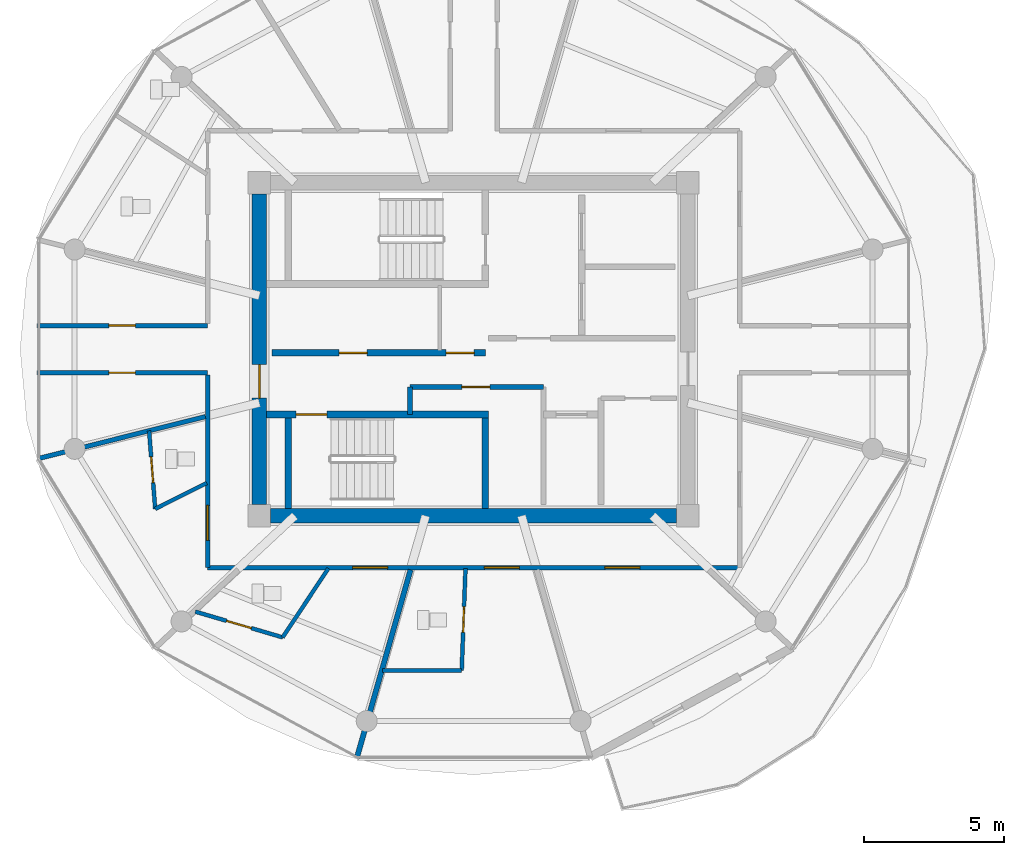
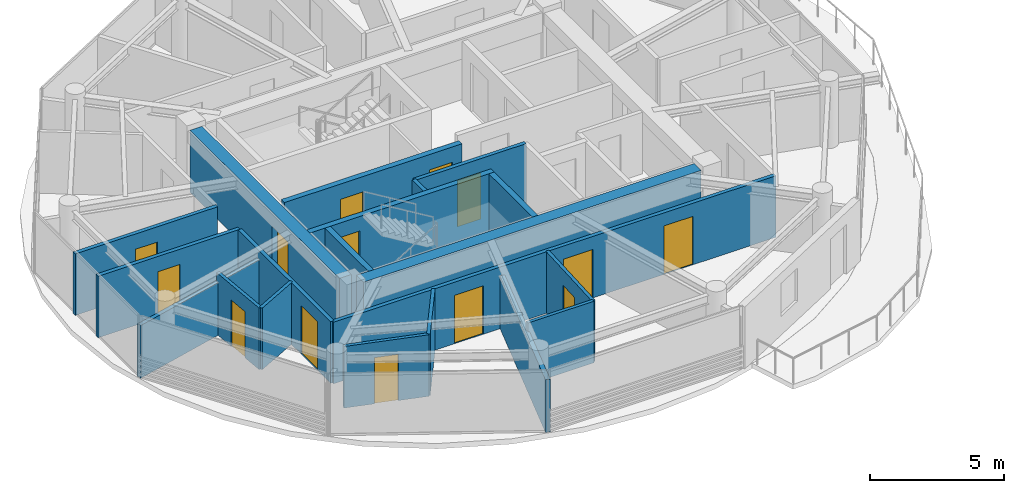
# One storey, part 9 of 19: 20 walls, 14 doors, 14 openings.
"""IFC4 building model written with IfcOpenShell, lengths in metres."""

from ifc_helpers import new_model, si_unit, direction, frame, frame_2d, origin, place, context, subcontext, project, spatial, rectangle, extrude, source, transform, mapped, material, layer, layer_set, type_object, type_shapes, element, fill, save


model = new_model("IFC4")

# Units and contexts
model_context = context("Model", 3, precision=1e-05, world=origin(), true_north=direction((0.0, 1.0)))
body_context = subcontext(model_context, "Body", "Model", "MODEL_VIEW")
ifc_project = project(units=[si_unit("LENGTHUNIT", "METRE"), si_unit("AREAUNIT", "SQUARE_METRE"), si_unit("VOLUMEUNIT", "CUBIC_METRE"), si_unit("PLANEANGLEUNIT", "RADIAN"), si_unit("MASSUNIT", "GRAM", prefix="KILO")], contexts=[model_context])

# Site, building, storey
site_placement = place(None, origin())
site = spatial("IfcSite", under=ifc_project, at=site_placement, CompositionType="ELEMENT")
building_placement = place(site_placement, origin())
building = spatial("IfcBuilding", under=site, at=building_placement, Name="Norrkilde Senior Care Towers", CompositionType="ELEMENT")
storey_placement = place(building_placement, frame((0.0, 0.0, 193.699951171875)))
storey = spatial("IfcBuildingStorey", under=building, at=storey_placement, Name="L60", CompositionType="ELEMENT", Elevation=193.699951171875)

# Wall
ifc_material_1 = material(Name="Concrete C50/60", Category="concrete")
ifc_layer_1 = layer(ifc_material_1, 0.52001953125)
ifc_layer_set_1 = layer_set([ifc_layer_1], Name="Concrete C50/60")
wall_type_1 = type_object("IfcWallType", Name="Core Shear Wall Z4 520", PredefinedType="SHEAR", material=ifc_layer_set_1)
shared_shape_1 = source(origin(), body_context, "Body", "SweptSolid", [
    extrude(rectangle(XDim=14.5, YDim=0.52001953125, at=frame_2d((7.25, 0.0))), origin(), (0.0, 0.0, 1.0), 2.81005859375),
])
wall_1_placement = place(storey_placement, frame((-20.75, -5.949951171875, 0.0), z_axis=(0.0, 0.0, 1.0), x_axis=(-1.0, 0.0, 0.0)))
element("IfcWall", 1, at=wall_1_placement, inside=storey, type_object=wall_type_1, Name="L60 Core W South Shear Wall", PredefinedType="SHEAR", context=body_context, shape_type="MappedRepresentation", body=[
    mapped(shared_shape_1, transform((0.0, 0.0, 0.0), x_axis=(1.0, 0.0, 0.0), y_axis=(0.0, 1.0, 0.0), z_axis=(0.0, 0.0, 1.0), scale=1.0)),
])

# Wall, opening, door
shared_shape_2 = source(origin(), body_context, "Body", "SweptSolid", [
    extrude(rectangle(XDim=11.10009765625, YDim=0.52001953125, at=frame_2d((5.550048828125, 0.0))), origin(), (0.0, 0.0, 1.0), 2.81005859375),
])
type_shapes(wall_type_1, [shared_shape_1, shared_shape_2])
wall_2_placement = place(storey_placement, frame((-35.64990234375, -5.550048828125, 0.0), z_axis=(0.0, 0.0, 1.0), x_axis=(0.0, 1.0, 0.0)))
wall_2 = element("IfcWall", 2, at=wall_2_placement, inside=storey, type_object=wall_type_1, Name="L60 Core W West Shear Wall", PredefinedType="SHEAR", context=body_context, shape_type="MappedRepresentation", body=[
    mapped(shared_shape_2, transform((0.0, 0.0, 0.0), x_axis=(1.0, 0.0, 0.0), y_axis=(0.0, 1.0, 0.0), z_axis=(0.0, 0.0, 1.0), scale=1.0)),
])
opening_1_placement = place(wall_2_placement, frame((3.800048828125, 0.0, 0.0)))
opening_1 = element("IfcOpeningElement", 3, at=opening_1_placement, cuts=wall_2, Name="Opening D-04", PredefinedType="OPENING", context=body_context, shape_type="SweptSolid", body=[
    extrude(rectangle(XDim=1.199951171875, YDim=2.14990234375, at=frame_2d((0.60009765625, 1.074951171875))), frame((0.0, 0.27001953125, 0.0), z_axis=(0.0, -1.0, 0.0), x_axis=(1.0, 0.0, 0.0)), (0.0, 0.0, 1.0), 0.5400390625),
])
ifc_material_2 = material(Name="Galvanised Painted Steel", Category="steel")
door_type_1 = type_object("IfcDoorType", Name="Firefighting Lobby Fire Door 1200x2150", OperationType="NOTDEFINED", PredefinedType="DOOR", material=ifc_material_2)
shared_shape_3 = source(origin(), body_context, "Body", "SweptSolid", [
    extrude(rectangle(XDim=1.199951171875, YDim=2.14990234375, at=frame_2d((0.60009765625, 1.074951171875))), frame((0.0, 0.02490234375, 0.0), z_axis=(0.0, -1.0, 0.0), x_axis=(1.0, 0.0, 0.0)), (0.0, 0.0, 1.0), 0.050048828125),
])
type_shapes(door_type_1, [shared_shape_3])
door_1_placement = place(opening_1_placement, frame((1.199951171875, 0.0, 0.0), z_axis=(0.0, 0.0, 1.0), x_axis=(-1.0, 0.0, 0.0)))
door_1 = element("IfcDoor", 4, at=door_1_placement, inside=storey, type_object=door_type_1, Name="L60 Core W West Portal Door", OperationType="SINGLE_SWING_LEFT", OverallHeight=2.14990234375, OverallWidth=1.199951171875, PredefinedType="DOOR", context=body_context, shape_type="MappedRepresentation", body=[
    mapped(shared_shape_3, transform((0.0, 0.0, 0.0), x_axis=(1.0, 0.0, 0.0), y_axis=(0.0, 1.0, 0.0), z_axis=(0.0, 0.0, 1.0), scale=1.0)),
])
fill(opening_1, door_1)

# Wall, openings, doors
ifc_material_3 = material(Name="Concrete C45/55", Category="concrete")
ifc_layer_2 = layer(ifc_material_3, 0.239990234375)
ifc_layer_set_2 = layer_set([ifc_layer_2], Name="Concrete C45/55")
wall_type_2 = type_object("IfcWallType", Name="Lift and Plant Rated Enclosure Partition 240", PredefinedType="PARTITIONING", material=ifc_layer_set_2)
shared_shape_4 = source(origin(), body_context, "Body", "SweptSolid", [
    extrude(rectangle(XDim=7.619873046875, YDim=0.239990234375, at=frame_2d((3.81005859375, 0.0))), origin(), (0.0, 0.0, 1.0), 2.795166015625),
])
type_shapes(wall_type_2, [shared_shape_4])
wall_3_placement = place(storey_placement, frame((-35.199951171875, -0.1298828125, 0.0), z_axis=(0.0, 0.0, 1.0), x_axis=(1.0, 0.0, 0.0)))
wall_3 = element("IfcWall", 5, at=wall_3_placement, inside=storey, type_object=wall_type_2, Name="WL-INT-L60-W-PKAS", PredefinedType="PARTITIONING", context=body_context, shape_type="MappedRepresentation", body=[
    mapped(shared_shape_4, transform((0.0, 0.0, 0.0), x_axis=(1.0, 0.0, 0.0), y_axis=(0.0, 1.0, 0.0), z_axis=(0.0, 0.0, 1.0), scale=1.0)),
])
opening_2_placement = place(wall_3_placement, frame((6.219970703125, 0.0, 0.0)))
opening_2 = element("IfcOpeningElement", 6, at=opening_2_placement, cuts=wall_3, Name="Opening D-10", PredefinedType="OPENING", context=body_context, shape_type="SweptSolid", body=[
    extrude(rectangle(XDim=1.0, YDim=2.10009765625, at=frame_2d((0.5, 1.050048828125))), frame((0.0, 0.1298828125, 0.0), z_axis=(0.0, -1.0, 0.0), x_axis=(1.0, 0.0, 0.0)), (0.0, 0.0, 1.0), 0.260009765625),
])
opening_3_placement = place(wall_3_placement, frame((2.39990234375, 0.0, 0.0)))
opening_3 = element("IfcOpeningElement", 7, at=opening_3_placement, cuts=wall_3, Name="Opening D-10", PredefinedType="OPENING", context=body_context, shape_type="SweptSolid", body=[
    extrude(rectangle(XDim=1.0, YDim=2.10009765625, at=frame_2d((0.5, 1.050048828125))), frame((0.0, 0.1298828125, 0.0), z_axis=(0.0, -1.0, 0.0), x_axis=(1.0, 0.0, 0.0)), (0.0, 0.0, 1.0), 0.260009765625),
])
door_type_2 = type_object("IfcDoorType", Name="Plant and Riser Rated Door 1000x2100", OperationType="NOTDEFINED", PredefinedType="DOOR", material=ifc_material_2)
shared_shape_5 = source(origin(), body_context, "Body", "SweptSolid", [
    extrude(rectangle(XDim=1.0, YDim=2.10009765625, at=frame_2d((0.5, 1.050048828125))), frame((0.0, 0.02490234375, 0.0), z_axis=(0.0, -1.0, 0.0), x_axis=(1.0, 0.0, 0.0)), (0.0, 0.0, 1.0), 0.050048828125),
])
type_shapes(door_type_2, [shared_shape_5])
door_2_placement = place(opening_2_placement, frame((1.0, 0.0, 0.0), z_axis=(0.0, 0.0, 1.0), x_axis=(-1.0, 0.0, 0.0)))
door_2 = element("IfcDoor", 8, at=door_2_placement, inside=storey, type_object=door_type_2, Name="L60 Electrical Riser W Door", OperationType="SINGLE_SWING_LEFT", OverallHeight=2.10009765625, OverallWidth=1.0, PredefinedType="DOOR", context=body_context, shape_type="MappedRepresentation", body=[
    mapped(shared_shape_5, transform((0.0, 0.0, 0.0), x_axis=(1.0, 0.0, 0.0), y_axis=(0.0, 1.0, 0.0), z_axis=(0.0, 0.0, 1.0), scale=1.0)),
])
fill(opening_2, door_2)
door_3_placement = place(opening_3_placement, frame((1.0, 0.0, 0.0), z_axis=(0.0, 0.0, 1.0), x_axis=(-1.0, 0.0, 0.0)))
door_3 = element("IfcDoor", 9, at=door_3_placement, inside=storey, type_object=door_type_2, Name="L60 Clean Supply Store W Door", OperationType="SINGLE_SWING_LEFT", OverallHeight=2.10009765625, OverallWidth=1.0, PredefinedType="DOOR", context=body_context, shape_type="MappedRepresentation", body=[
    mapped(shared_shape_5, transform((0.0, 0.0, 0.0), x_axis=(1.0, 0.0, 0.0), y_axis=(0.0, 1.0, 0.0), z_axis=(0.0, 0.0, 1.0), scale=1.0)),
])
fill(opening_3, door_3)

ifc_material_4 = material(Name="Gypsum Acoustic Board")
ifc_layer_3 = layer(ifc_material_4, 0.1650390625)
ifc_layer_set_3 = layer_set([ifc_layer_3], Name="Gypsum Acoustic Board")
wall_type_3 = type_object("IfcWallType", Name="Corridor Rated Partition 165", PredefinedType="PARTITIONING", material=ifc_layer_set_3)
shared_shape_6 = source(origin(), body_context, "Body", "SweptSolid", [
    extrude(rectangle(XDim=19.0, YDim=0.1650390625, at=frame_2d((9.5, 0.0))), origin(), (0.0, 0.0, 1.0), 2.795166015625),
])
wall_4_placement = place(storey_placement, frame((-18.5, -7.800048828125, 0.0), z_axis=(0.0, 0.0, 1.0), x_axis=(-1.0, 0.0, 0.0)))
wall_4 = element("IfcWall", 10, at=wall_4_placement, inside=storey, type_object=wall_type_3, Name="WL-INT-L60-W-CRW-S-0", PredefinedType="PARTITIONING", context=body_context, shape_type="MappedRepresentation", body=[
    mapped(shared_shape_6, transform((0.0, 0.0, 0.0), x_axis=(1.0, 0.0, 0.0), y_axis=(0.0, 1.0, 0.0), z_axis=(0.0, 0.0, 1.0), scale=1.0)),
])
opening_4_placement = place(wall_4_placement, frame((12.56884765625, 0.0, 0.0)))
opening_4 = element("IfcOpeningElement", 11, at=opening_4_placement, cuts=wall_4, Name="Opening D-05", PredefinedType="OPENING", context=body_context, shape_type="SweptSolid", body=[
    extrude(rectangle(XDim=1.25, YDim=2.199951171875, at=frame_2d((0.625, 1.10009765625))), frame((0.0, 0.092529296875, 0.0), z_axis=(0.0, -1.0, 0.0), x_axis=(1.0, 0.0, 0.0)), (0.0, 0.0, 1.0), 0.18505859375),
])
opening_5_placement = place(wall_4_placement, frame((7.868408203125, 0.0, 0.0)))
opening_5 = element("IfcOpeningElement", 12, at=opening_5_placement, cuts=wall_4, Name="Opening D-05", PredefinedType="OPENING", context=body_context, shape_type="SweptSolid", body=[
    extrude(rectangle(XDim=1.25, YDim=2.199951171875, at=frame_2d((0.625, 1.10009765625))), frame((0.0, 0.092529296875, 0.0), z_axis=(0.0, -1.0, 0.0), x_axis=(1.0, 0.0, 0.0)), (0.0, 0.0, 1.0), 0.18505859375),
])
opening_6_placement = place(wall_4_placement, frame((3.55859375, 0.0, 0.0)))
opening_6 = element("IfcOpeningElement", 13, at=opening_6_placement, cuts=wall_4, Name="Opening D-05", PredefinedType="OPENING", context=body_context, shape_type="SweptSolid", body=[
    extrude(rectangle(XDim=1.25, YDim=2.199951171875, at=frame_2d((0.625, 1.10009765625))), frame((0.0, 0.092529296875, 0.0), z_axis=(0.0, -1.0, 0.0), x_axis=(1.0, 0.0, 0.0)), (0.0, 0.0, 1.0), 0.18505859375),
])
ifc_material_5 = material(Name="Nordic Ash Timber", Category="wood")
door_type_3 = type_object("IfcDoorType", Name="Care Bedroom Bariatric Door 1250x2200", OperationType="NOTDEFINED", PredefinedType="DOOR", material=ifc_material_5)
shared_shape_7 = source(origin(), body_context, "Body", "SweptSolid", [
    extrude(rectangle(XDim=1.25, YDim=2.199951171875, at=frame_2d((0.625, 1.10009765625))), frame((0.0, 0.02490234375, 0.0), z_axis=(0.0, -1.0, 0.0), x_axis=(1.0, 0.0, 0.0)), (0.0, 0.0, 1.0), 0.050048828125),
])
type_shapes(door_type_3, [shared_shape_7])
door_4_placement = place(opening_4_placement, frame((1.25, 0.0, 0.0), z_axis=(0.0, 0.0, 1.0), x_axis=(-1.0, 0.0, 0.0)))
door_4 = element("IfcDoor", 14, at=door_4_placement, inside=storey, type_object=door_type_3, Name="L60 Care Suite 6007 Entrance Door", OperationType="SINGLE_SWING_RIGHT", OverallHeight=2.199951171875, OverallWidth=1.25, PredefinedType="DOOR", context=body_context, shape_type="MappedRepresentation", body=[
    mapped(shared_shape_7, transform((0.0, 0.0, 0.0), x_axis=(1.0, 0.0, 0.0), y_axis=(0.0, 1.0, 0.0), z_axis=(0.0, 0.0, 1.0), scale=1.0)),
])
fill(opening_4, door_4)
door_5_placement = place(opening_5_placement, frame((1.25, 0.0, 0.0), z_axis=(0.0, 0.0, 1.0), x_axis=(-1.0, 0.0, 0.0)))
door_5 = element("IfcDoor", 15, at=door_5_placement, inside=storey, type_object=door_type_3, Name="L60 Care Suite 6008 Entrance Door", OperationType="SINGLE_SWING_LEFT", OverallHeight=2.199951171875, OverallWidth=1.25, PredefinedType="DOOR", context=body_context, shape_type="MappedRepresentation", body=[
    mapped(shared_shape_7, transform((0.0, 0.0, 0.0), x_axis=(1.0, 0.0, 0.0), y_axis=(0.0, 1.0, 0.0), z_axis=(0.0, 0.0, 1.0), scale=1.0)),
])
fill(opening_5, door_5)
door_6_placement = place(opening_6_placement, frame((1.25, 0.0, 0.0), z_axis=(0.0, 0.0, 1.0), x_axis=(-1.0, 0.0, 0.0)))
door_6 = element("IfcDoor", 16, at=door_6_placement, inside=storey, type_object=door_type_3, Name="L60 Household Therapeutic Kitchen Door", OperationType="SINGLE_SWING_RIGHT", OverallHeight=2.199951171875, OverallWidth=1.25, PredefinedType="DOOR", context=body_context, shape_type="MappedRepresentation", body=[
    mapped(shared_shape_7, transform((0.0, 0.0, 0.0), x_axis=(1.0, 0.0, 0.0), y_axis=(0.0, 1.0, 0.0), z_axis=(0.0, 0.0, 1.0), scale=1.0)),
])
fill(opening_6, door_6)

# Wall, opening, door
shared_shape_8 = source(origin(), body_context, "Body", "SweptSolid", [
    extrude(rectangle(XDim=6.880126953125, YDim=0.1650390625, at=frame_2d((3.43994140625, 0.0))), origin(), (0.0, 0.0, 1.0), 2.795166015625),
])
wall_5_placement = place(storey_placement, frame((-37.5, -7.800048828125, 0.0), z_axis=(0.0, 0.0, 1.0), x_axis=(0.0, 1.0, 0.0)))
wall_5 = element("IfcWall", 17, at=wall_5_placement, inside=storey, type_object=wall_type_3, Name="WL-INT-L60-W-CRW-W-0", PredefinedType="PARTITIONING", context=body_context, shape_type="MappedRepresentation", body=[
    mapped(shared_shape_8, transform((0.0, 0.0, 0.0), x_axis=(1.0, 0.0, 0.0), y_axis=(0.0, 1.0, 0.0), z_axis=(0.0, 0.0, 1.0), scale=1.0)),
])
opening_7_placement = place(wall_5_placement, frame((0.96826171875, 0.0, 0.0)))
opening_7 = element("IfcOpeningElement", 18, at=opening_7_placement, cuts=wall_5, Name="Opening D-05", PredefinedType="OPENING", context=body_context, shape_type="SweptSolid", body=[
    extrude(rectangle(XDim=1.25, YDim=2.199951171875, at=frame_2d((0.625, 1.10009765625))), frame((0.0, 0.092529296875, 0.0), z_axis=(0.0, -1.0, 0.0), x_axis=(1.0, 0.0, 0.0)), (0.0, 0.0, 1.0), 0.18505859375),
])
door_7_placement = place(opening_7_placement, frame((1.25, 0.0, 0.0), z_axis=(0.0, 0.0, 1.0), x_axis=(-1.0, 0.0, 0.0)))
door_7 = element("IfcDoor", 19, at=door_7_placement, inside=storey, type_object=door_type_3, Name="L60 Care Suite 6006 Entrance Door", OperationType="SINGLE_SWING_LEFT", OverallHeight=2.199951171875, OverallWidth=1.25, PredefinedType="DOOR", context=body_context, shape_type="MappedRepresentation", body=[
    mapped(shared_shape_7, transform((0.0, 0.0, 0.0), x_axis=(1.0, 0.0, 0.0), y_axis=(0.0, 1.0, 0.0), z_axis=(0.0, 0.0, 1.0), scale=1.0)),
])
fill(opening_7, door_7)

shared_shape_9 = source(origin(), body_context, "Body", "SweptSolid", [
    extrude(rectangle(XDim=4.77001953125, YDim=0.1650390625, at=frame_2d((2.385009765625, 0.0))), origin(), (0.0, 0.0, 1.0), 2.795166015625),
])
wall_6_placement = place(storey_placement, frame((-30.27001953125, -1.35009765625, 0.0), z_axis=(0.0, 0.0, 1.0), x_axis=(1.0, 0.0, 0.0)))
wall_6 = element("IfcWall", 20, at=wall_6_placement, inside=storey, type_object=wall_type_3, Name="WL-INT-L60-W-FR2N", PredefinedType="PARTITIONING", context=body_context, shape_type="MappedRepresentation", body=[
    mapped(shared_shape_9, transform((0.0, 0.0, 0.0), x_axis=(1.0, 0.0, 0.0), y_axis=(0.0, 1.0, 0.0), z_axis=(0.0, 0.0, 1.0), scale=1.0)),
])
opening_8_placement = place(wall_6_placement, frame((1.85009765625, 0.0, 0.0)))
opening_8 = element("IfcOpeningElement", 21, at=opening_8_placement, cuts=wall_6, Name="Opening D-10", PredefinedType="OPENING", context=body_context, shape_type="SweptSolid", body=[
    extrude(rectangle(XDim=1.0, YDim=2.10009765625, at=frame_2d((0.5, 1.050048828125))), frame((0.0, 0.092529296875, 0.0), z_axis=(0.0, -1.0, 0.0), x_axis=(1.0, 0.0, 0.0)), (0.0, 0.0, 1.0), 0.18505859375),
])
door_8_placement = place(opening_8_placement, origin())
door_8 = element("IfcDoor", 22, at=door_8_placement, inside=storey, type_object=door_type_2, Name="L60 Core Pantry W Door", OperationType="SINGLE_SWING_RIGHT", OverallHeight=2.10009765625, OverallWidth=1.0, PredefinedType="DOOR", context=body_context, shape_type="MappedRepresentation", body=[
    mapped(shared_shape_5, transform((0.0, 0.0, 0.0), x_axis=(1.0, 0.0, 0.0), y_axis=(0.0, 1.0, 0.0), z_axis=(0.0, 0.0, 1.0), scale=1.0)),
])
fill(opening_8, door_8)

# Wall
shared_shape_10 = source(origin(), body_context, "Body", "SweptSolid", [
    extrude(rectangle(XDim=0.97998046875, YDim=0.1650390625, at=frame_2d((0.489990234375, 0.0))), origin(), (0.0, 0.0, 1.0), 2.795166015625),
])
wall_7_placement = place(storey_placement, frame((-30.27001953125, -2.330078125, 0.0), z_axis=(0.0, 0.0, 1.0), x_axis=(0.0, 1.0, 0.0)))
element("IfcWall", 23, at=wall_7_placement, inside=storey, type_object=wall_type_3, Name="WL-INT-L60-W-FR2W", PredefinedType="PARTITIONING", context=body_context, shape_type="MappedRepresentation", body=[
    mapped(shared_shape_10, transform((0.0, 0.0, 0.0), x_axis=(1.0, 0.0, 0.0), y_axis=(0.0, 1.0, 0.0), z_axis=(0.0, 0.0, 1.0), scale=1.0)),
])

# Wall, opening, door
ifc_layer_4 = layer(ifc_material_3, 0.239990234375)
ifc_layer_set_4 = layer_set([ifc_layer_4], Name="Concrete C45/55")
wall_type_4 = type_object("IfcWallType", Name="Shaft and Stair Enclosure Wall 240", PredefinedType="PARTITIONING", material=ifc_layer_set_4)
shared_shape_11 = source(origin(), body_context, "Body", "SweptSolid", [
    extrude(rectangle(XDim=7.929931640625, YDim=0.239990234375, at=frame_2d((3.96484375, 0.0))), origin(), (0.0, 0.0, 1.0), 2.81005859375),
])
wall_8_placement = place(storey_placement, frame((-35.389892578125, -2.330078125, 0.0), z_axis=(0.0, 0.0, 1.0), x_axis=(1.0, 0.0, 0.0)))
wall_8 = element("IfcWall", 24, at=wall_8_placement, inside=storey, type_object=wall_type_4, Name="WL-INT-L60-W-ST2N", PredefinedType="PARTITIONING", context=body_context, shape_type="MappedRepresentation", body=[
    mapped(shared_shape_11, transform((0.0, 0.0, 0.0), x_axis=(1.0, 0.0, 0.0), y_axis=(0.0, 1.0, 0.0), z_axis=(0.0, 0.0, 1.0), scale=1.0)),
])
opening_9_placement = place(wall_8_placement, frame((1.050048828125, 0.0, 0.0)))
opening_9 = element("IfcOpeningElement", 25, at=opening_9_placement, cuts=wall_8, Name="Opening D-03", PredefinedType="OPENING", context=body_context, shape_type="SweptSolid", body=[
    extrude(rectangle(XDim=1.10009765625, YDim=2.14990234375, at=frame_2d((0.550048828125, 1.074951171875))), frame((0.0, 0.1298828125, 0.0), z_axis=(0.0, -1.0, 0.0), x_axis=(1.0, 0.0, 0.0)), (0.0, 0.0, 1.0), 0.260009765625),
])
door_type_4 = type_object("IfcDoorType", Name="Stairwell Protected Fire Door 1100x2150", OperationType="NOTDEFINED", PredefinedType="DOOR", material=ifc_material_2)
shared_shape_12 = source(origin(), body_context, "Body", "SweptSolid", [
    extrude(rectangle(XDim=1.10009765625, YDim=2.14990234375, at=frame_2d((0.550048828125, 1.074951171875))), frame((0.0, 0.02490234375, 0.0), z_axis=(0.0, -1.0, 0.0), x_axis=(1.0, 0.0, 0.0)), (0.0, 0.0, 1.0), 0.050048828125),
])
type_shapes(door_type_4, [shared_shape_12])
door_9_placement = place(opening_9_placement, frame((1.10009765625, 0.0, 0.0), z_axis=(0.0, 0.0, 1.0), x_axis=(-1.0, 0.0, 0.0)))
door_9 = element("IfcDoor", 26, at=door_9_placement, inside=storey, type_object=door_type_4, Name="L60 Stair W2 Fire Door", OperationType="SINGLE_SWING_RIGHT", OverallHeight=2.14990234375, OverallWidth=1.10009765625, PredefinedType="DOOR", context=body_context, shape_type="MappedRepresentation", body=[
    mapped(shared_shape_12, transform((0.0, 0.0, 0.0), x_axis=(1.0, 0.0, 0.0), y_axis=(0.0, 1.0, 0.0), z_axis=(0.0, 0.0, 1.0), scale=1.0)),
])
fill(opening_9, door_9)

# Walls
shared_shape_13 = source(origin(), body_context, "Body", "SweptSolid", [
    extrude(rectangle(XDim=3.239990234375, YDim=0.239990234375, at=frame_2d((1.6201171875, 0.0))), origin(), (0.0, 0.0, 1.0), 2.81005859375),
])
type_shapes(wall_type_4, [shared_shape_11, shared_shape_13])
for number, where, z_axis, x_axis, name in (
    (27, (-34.6201171875, -5.68994140625, 0.0), (0.0, 0.0, 1.0), (0.0, 1.0, 0.0), "WL-INT-L60-W-ST2W"),
    (28, (-27.580078125, -5.68994140625, 0.0), (0.0, 0.0, 1.0), (0.0, 1.0, 0.0), "WL-INT-L60-W-ST2E"),
):
    element("IfcWall", number, at=place(storey_placement, frame(where, z_axis=z_axis, x_axis=x_axis)), inside=storey, type_object=wall_type_4, Name=name, PredefinedType="PARTITIONING", context=body_context, shape_type="MappedRepresentation", body=[
        mapped(shared_shape_13, transform((0.0, 0.0, 0.0), x_axis=(1.0, 0.0, 0.0), y_axis=(0.0, 1.0, 0.0), z_axis=(0.0, 0.0, 1.0), scale=1.0)),
    ])
shared_shape_14 = source(origin(), body_context, "Body", "SweptSolid", [
    extrude(rectangle(XDim=6.1572265625, YDim=0.1650390625, at=frame_2d((3.07861328125, 0.0))), origin(), (0.0, 0.0, 1.0), 2.39501953125),
])
wall_9_placement = place(storey_placement, frame((-37.580078125, -2.407470703125, 0.0), z_axis=(0.0, 0.0, 1.0), x_axis=(-0.969840867184, -0.243738984038, 0.0)))
element("IfcWall", 29, at=wall_9_placement, inside=storey, type_object=wall_type_3, Name="WL-INT-L60-W-DEM-06-0", PredefinedType="PARTITIONING", context=body_context, shape_type="MappedRepresentation", body=[
    mapped(shared_shape_14, transform((0.0, 0.0, 0.0), x_axis=(1.0, 0.0, 0.0), y_axis=(0.0, 1.0, 0.0), z_axis=(0.0, 0.0, 1.0), scale=1.0)),
])

# Wall, opening, door
shared_shape_15 = source(origin(), body_context, "Body", "SweptSolid", [
    extrude(rectangle(XDim=6.101318359375, YDim=0.1650390625, at=frame_2d((3.05078125, 0.0))), origin(), (0.0, 0.0, 1.0), 2.795166015625),
])
type_shapes(wall_type_3, [shared_shape_6, shared_shape_8, shared_shape_9, shared_shape_10, shared_shape_14, shared_shape_15])
wall_10_placement = place(storey_placement, frame((-43.601318359375, 0.840087890625, 0.0), z_axis=(0.0, 0.0, 1.0), x_axis=(1.0, 0.0, 0.0)))
wall_10 = element("IfcWall", 30, at=wall_10_placement, inside=storey, type_object=wall_type_3, Name="WL-INT-L60-W-SPK-W1-0", PredefinedType="PARTITIONING", context=body_context, shape_type="MappedRepresentation", body=[
    mapped(shared_shape_15, transform((0.0, 0.0, 0.0), x_axis=(1.0, 0.0, 0.0), y_axis=(0.0, 1.0, 0.0), z_axis=(0.0, 0.0, 1.0), scale=1.0)),
])
opening_10_placement = place(wall_10_placement, frame((2.57568359375, 0.0, 0.0)))
opening_10 = element("IfcOpeningElement", 31, at=opening_10_placement, cuts=wall_10, Name="Opening D-07", PredefinedType="OPENING", context=body_context, shape_type="SweptSolid", body=[
    extrude(rectangle(XDim=0.949951171875, YDim=2.10009765625, at=frame_2d((0.47509765625, 1.050048828125))), frame((0.0, 0.092529296875, 0.0), z_axis=(0.0, -1.0, 0.0), x_axis=(1.0, 0.0, 0.0)), (0.0, 0.0, 1.0), 0.18505859375),
])
door_type_5 = type_object("IfcDoorType", Name="Internal Suite Bedroom Door 950x2100", OperationType="NOTDEFINED", PredefinedType="DOOR", material=ifc_material_5)
shared_shape_16 = source(origin(), body_context, "Body", "SweptSolid", [
    extrude(rectangle(XDim=0.949951171875, YDim=2.10009765625, at=frame_2d((0.47509765625, 1.050048828125))), frame((0.0, 0.02490234375, 0.0), z_axis=(0.0, -1.0, 0.0), x_axis=(1.0, 0.0, 0.0)), (0.0, 0.0, 1.0), 0.050048828125),
])
type_shapes(door_type_5, [shared_shape_16])
door_10_placement = place(opening_10_placement, frame((0.949951171875, 0.0, 0.0), z_axis=(0.0, 0.0, 1.0), x_axis=(-1.0, 0.0, 0.0)))
door_10 = element("IfcDoor", 32, at=door_10_placement, inside=storey, type_object=door_type_5, Name="L60 Sun Reading Lounge 2 Door", OperationType="SINGLE_SWING_LEFT", OverallHeight=2.10009765625, OverallWidth=0.949951171875, PredefinedType="DOOR", context=body_context, shape_type="MappedRepresentation", body=[
    mapped(shared_shape_16, transform((0.0, 0.0, 0.0), x_axis=(1.0, 0.0, 0.0), y_axis=(0.0, 1.0, 0.0), z_axis=(0.0, 0.0, 1.0), scale=1.0)),
])
fill(opening_10, door_10)

wall_11_placement = place(storey_placement, frame((-37.5, -0.840087890625, 0.0), z_axis=(0.0, 0.0, 1.0), x_axis=(-1.0, 0.0, 0.0)))
wall_11 = element("IfcWall", 33, at=wall_11_placement, inside=storey, type_object=wall_type_3, Name="WL-INT-L60-W-SPK-W2-0", PredefinedType="PARTITIONING", context=body_context, shape_type="MappedRepresentation", body=[
    mapped(shared_shape_15, transform((0.0, 0.0, 0.0), x_axis=(1.0, 0.0, 0.0), y_axis=(0.0, 1.0, 0.0), z_axis=(0.0, 0.0, 1.0), scale=1.0)),
])
opening_11_placement = place(wall_11_placement, frame((2.57568359375, 0.0, 0.0)))
opening_11 = element("IfcOpeningElement", 34, at=opening_11_placement, cuts=wall_11, Name="Opening D-07", PredefinedType="OPENING", context=body_context, shape_type="SweptSolid", body=[
    extrude(rectangle(XDim=0.949951171875, YDim=2.10009765625, at=frame_2d((0.47509765625, 1.050048828125))), frame((0.0, 0.092529296875, 0.0), z_axis=(0.0, -1.0, 0.0), x_axis=(1.0, 0.0, 0.0)), (0.0, 0.0, 1.0), 0.18505859375),
])
door_11_placement = place(opening_11_placement, frame((0.949951171875, 0.0, 0.0), z_axis=(0.0, 0.0, 1.0), x_axis=(-1.0, 0.0, 0.0)))
door_11 = element("IfcDoor", 35, at=door_11_placement, inside=storey, type_object=door_type_5, Name="L60 Sun Reading Lounge 1 Door", OperationType="SINGLE_SWING_RIGHT", OverallHeight=2.10009765625, OverallWidth=0.949951171875, PredefinedType="DOOR", context=body_context, shape_type="MappedRepresentation", body=[
    mapped(shared_shape_16, transform((0.0, 0.0, 0.0), x_axis=(1.0, 0.0, 0.0), y_axis=(0.0, 1.0, 0.0), z_axis=(0.0, 0.0, 1.0), scale=1.0)),
])
fill(opening_11, door_11)

# Wall
ifc_layer_5 = layer(ifc_material_4, 0.139892578125)
ifc_layer_set_5 = layer_set([ifc_layer_5], Name="Gypsum Acoustic Board")
wall_type_5 = type_object("IfcWallType", Name="En-suite Wet Room Wall 140", PredefinedType="PARTITIONING", material=ifc_layer_set_5)
shared_shape_17 = source(origin(), body_context, "Body", "SweptSolid", [
    extrude(rectangle(XDim=2.059814453125, YDim=0.139892578125, at=frame_2d((1.02978515625, 0.0))), origin(), (0.0, 0.0, 1.0), 2.795166015625),
])
wall_12_placement = place(storey_placement, frame((-37.530029296875, -4.7783203125, 0.0), z_axis=(0.0, 0.0, 1.0), x_axis=(-0.893952568722, -0.448161583444, 0.0)))
element("IfcWall", 36, at=wall_12_placement, inside=storey, type_object=wall_type_5, Name="WL-INT-L60-W-ES-06", PredefinedType="PARTITIONING", context=body_context, shape_type="MappedRepresentation", body=[
    mapped(shared_shape_17, transform((0.0, 0.0, 0.0), x_axis=(1.0, 0.0, 0.0), y_axis=(0.0, 1.0, 0.0), z_axis=(0.0, 0.0, 1.0), scale=1.0)),
])

# Wall, opening, door
shared_shape_18 = source(origin(), body_context, "Body", "SweptSolid", [
    extrude(rectangle(XDim=2.79833984375, YDim=0.139892578125, at=frame_2d((1.399169921875, 0.0))), origin(), (0.0, 0.0, 1.0), 2.795166015625),
])
wall_13_placement = place(storey_placement, frame((-39.371337890625, -5.701416015625, 0.0), z_axis=(0.0, 0.0, 1.0), x_axis=(-0.077823984089, 0.996967114553, 0.0)))
wall_13 = element("IfcWall", 37, at=wall_13_placement, inside=storey, type_object=wall_type_5, Name="WL-INT-L60-W-EF-06", PredefinedType="PARTITIONING", context=body_context, shape_type="MappedRepresentation", body=[
    mapped(shared_shape_18, transform((0.0, 0.0, 0.0), x_axis=(1.0, 0.0, 0.0), y_axis=(0.0, 1.0, 0.0), z_axis=(0.0, 0.0, 1.0), scale=1.0)),
])
opening_12_placement = place(wall_13_placement, frame((0.939208984375, 0.0, 0.0)))
opening_12 = element("IfcOpeningElement", 38, at=opening_12_placement, cuts=wall_13, Name="Opening D-08", PredefinedType="OPENING", context=body_context, shape_type="SweptSolid", body=[
    extrude(rectangle(XDim=0.919921875, YDim=2.10009765625, at=frame_2d((0.4599609375, 1.050048828125))), frame((0.0, 0.079833984375, 0.0), z_axis=(0.0, -1.0, 0.0), x_axis=(1.0, 0.0, 0.0)), (0.0, 0.0, 1.0), 0.159912109375),
])
door_type_6 = type_object("IfcDoorType", Name="Accessible Wet Room Door 920x2100", OperationType="NOTDEFINED", PredefinedType="DOOR", material=ifc_material_5)
shared_shape_19 = source(origin(), body_context, "Body", "SweptSolid", [
    extrude(rectangle(XDim=0.919921875, YDim=2.10009765625, at=frame_2d((0.4599609375, 1.050048828125))), frame((0.0, 0.02490234375, 0.0), z_axis=(0.0, -1.0, 0.0), x_axis=(1.0, 0.0, 0.0)), (0.0, 0.0, 1.0), 0.050048828125),
])
type_shapes(door_type_6, [shared_shape_19])
door_12_placement = place(opening_12_placement, origin())
door_12 = element("IfcDoor", 39, at=door_12_placement, inside=storey, type_object=door_type_6, Name="L60 Care Suite 6006 Bathroom Door", OperationType="SINGLE_SWING_RIGHT", OverallHeight=2.10009765625, OverallWidth=0.919921875, PredefinedType="DOOR", context=body_context, shape_type="MappedRepresentation", body=[
    mapped(shared_shape_19, transform((0.0, 0.0, 0.0), x_axis=(1.0, 0.0, 0.0), y_axis=(0.0, 1.0, 0.0), z_axis=(0.0, 0.0, 1.0), scale=1.0)),
])
fill(opening_12, door_12)

# Walls
ifc_layer_6 = layer(ifc_material_4, 0.18994140625)
ifc_layer_set_6 = layer_set([ifc_layer_6], Name="Gypsum Acoustic Board")
wall_type_6 = type_object("IfcWallType", Name="Unit Demising Acoustic Wall 190", PredefinedType="PARTITIONING", material=ifc_layer_set_6)
shared_shape_20 = source(origin(), body_context, "Body", "SweptSolid", [
    extrude(rectangle(XDim=6.973876953125, YDim=0.18994140625, at=frame_2d((3.48681640625, 0.0))), origin(), (0.0, 0.0, 1.0), 2.39501953125),
])
type_shapes(wall_type_6, [shared_shape_20])
wall_14_placement = place(storey_placement, frame((-30.251220703125, -7.8798828125, 0.0), z_axis=(0.0, 0.0, 1.0), x_axis=(-0.274707256801, -0.961527910703, 0.0)))
element("IfcWall", 40, at=wall_14_placement, inside=storey, type_object=wall_type_6, Name="WL-INT-L60-W-DEM-08-0", PredefinedType="PARTITIONING", context=body_context, shape_type="MappedRepresentation", body=[
    mapped(shared_shape_20, transform((0.0, 0.0, 0.0), x_axis=(1.0, 0.0, 0.0), y_axis=(0.0, 1.0, 0.0), z_axis=(0.0, 0.0, 1.0), scale=1.0)),
])
shared_shape_21 = source(origin(), body_context, "Body", "SweptSolid", [
    extrude(rectangle(XDim=2.95263671875, YDim=0.139892578125, at=frame_2d((1.476318359375, 0.0))), origin(), (0.0, 0.0, 1.0), 2.795166015625),
])
wall_15_placement = place(storey_placement, frame((-33.1884765625, -7.830078125, 0.0), z_axis=(0.0, 0.0, 1.0), x_axis=(-0.552427436518, -0.833560991999, 0.0)))
element("IfcWall", 41, at=wall_15_placement, inside=storey, type_object=wall_type_5, Name="WL-INT-L60-W-ES-07", PredefinedType="PARTITIONING", context=body_context, shape_type="MappedRepresentation", body=[
    mapped(shared_shape_21, transform((0.0, 0.0, 0.0), x_axis=(1.0, 0.0, 0.0), y_axis=(0.0, 1.0, 0.0), z_axis=(0.0, 0.0, 1.0), scale=1.0)),
])

# Wall, opening, door
shared_shape_22 = source(origin(), body_context, "Body", "SweptSolid", [
    extrude(rectangle(XDim=3.252197265625, YDim=0.139892578125, at=frame_2d((1.6259765625, 0.0))), origin(), (0.0, 0.0, 1.0), 2.795166015625),
])
wall_16_placement = place(storey_placement, frame((-34.819580078125, -10.291259765625, 0.0), z_axis=(0.0, 0.0, 1.0), x_axis=(-0.959294945864, 0.282406102695, 0.0)))
wall_16 = element("IfcWall", 42, at=wall_16_placement, inside=storey, type_object=wall_type_5, Name="WL-INT-L60-W-EF-07", PredefinedType="PARTITIONING", context=body_context, shape_type="MappedRepresentation", body=[
    mapped(shared_shape_22, transform((0.0, 0.0, 0.0), x_axis=(1.0, 0.0, 0.0), y_axis=(0.0, 1.0, 0.0), z_axis=(0.0, 0.0, 1.0), scale=1.0)),
])
opening_13_placement = place(wall_16_placement, frame((1.166259765625, 0.0, 0.0)))
opening_13 = element("IfcOpeningElement", 43, at=opening_13_placement, cuts=wall_16, Name="Opening D-08", PredefinedType="OPENING", context=body_context, shape_type="SweptSolid", body=[
    extrude(rectangle(XDim=0.919921875, YDim=2.10009765625, at=frame_2d((0.4599609375, 1.050048828125))), frame((0.0, 0.079833984375, 0.0), z_axis=(0.0, -1.0, 0.0), x_axis=(1.0, 0.0, 0.0)), (0.0, 0.0, 1.0), 0.159912109375),
])
door_13_placement = place(opening_13_placement, origin())
door_13 = element("IfcDoor", 44, at=door_13_placement, inside=storey, type_object=door_type_6, Name="L60 Care Suite 6007 Bathroom Door", OperationType="SINGLE_SWING_LEFT", OverallHeight=2.10009765625, OverallWidth=0.919921875, PredefinedType="DOOR", context=body_context, shape_type="MappedRepresentation", body=[
    mapped(shared_shape_19, transform((0.0, 0.0, 0.0), x_axis=(1.0, 0.0, 0.0), y_axis=(0.0, 1.0, 0.0), z_axis=(0.0, 0.0, 1.0), scale=1.0)),
])
fill(opening_13, door_13)

shared_shape_23 = source(origin(), body_context, "Body", "SweptSolid", [
    extrude(rectangle(XDim=3.64599609375, YDim=0.139892578125, at=frame_2d((1.822998046875, 0.0))), origin(), (0.0, 0.0, 1.0), 2.795166015625),
])
wall_17_placement = place(storey_placement, frame((-28.2900390625, -7.830078125, 0.0), z_axis=(0.0, 0.0, 1.0), x_axis=(-0.036962128131, -0.99931666707, 0.0)))
wall_17 = element("IfcWall", 45, at=wall_17_placement, inside=storey, type_object=wall_type_5, Name="WL-INT-L60-W-ES-08", PredefinedType="PARTITIONING", context=body_context, shape_type="MappedRepresentation", body=[
    mapped(shared_shape_23, transform((0.0, 0.0, 0.0), x_axis=(1.0, 0.0, 0.0), y_axis=(0.0, 1.0, 0.0), z_axis=(0.0, 0.0, 1.0), scale=1.0)),
])
opening_14_placement = place(wall_17_placement, frame((1.363037109375, 0.0, 0.0)))
opening_14 = element("IfcOpeningElement", 46, at=opening_14_placement, cuts=wall_17, Name="Opening D-08", PredefinedType="OPENING", context=body_context, shape_type="SweptSolid", body=[
    extrude(rectangle(XDim=0.919921875, YDim=2.10009765625, at=frame_2d((0.4599609375, 1.050048828125))), frame((0.0, 0.079833984375, 0.0), z_axis=(0.0, -1.0, 0.0), x_axis=(1.0, 0.0, 0.0)), (0.0, 0.0, 1.0), 0.159912109375),
])
door_14_placement = place(opening_14_placement, origin())
door_14 = element("IfcDoor", 47, at=door_14_placement, inside=storey, type_object=door_type_6, Name="L60 Care Suite 6008 Bathroom Door", OperationType="SINGLE_SWING_RIGHT", OverallHeight=2.10009765625, OverallWidth=0.919921875, PredefinedType="DOOR", context=body_context, shape_type="MappedRepresentation", body=[
    mapped(shared_shape_19, transform((0.0, 0.0, 0.0), x_axis=(1.0, 0.0, 0.0), y_axis=(0.0, 1.0, 0.0), z_axis=(0.0, 0.0, 1.0), scale=1.0)),
])
fill(opening_14, door_14)

# Wall
shared_shape_24 = source(origin(), body_context, "Body", "SweptSolid", [
    extrude(rectangle(XDim=2.834716796875, YDim=0.139892578125, at=frame_2d((1.41748046875, 0.0))), origin(), (0.0, 0.0, 1.0), 2.795166015625),
])
type_shapes(wall_type_5, [shared_shape_17, shared_shape_18, shared_shape_21, shared_shape_22, shared_shape_23, shared_shape_24])
wall_18_placement = place(storey_placement, frame((-28.4248046875, -11.4736328125, 0.0), z_axis=(0.0, 0.0, 1.0), x_axis=(-0.999999699589, 0.000775126802, 0.0)))
element("IfcWall", 48, at=wall_18_placement, inside=storey, type_object=wall_type_5, Name="WL-INT-L60-W-EF-08", PredefinedType="PARTITIONING", context=body_context, shape_type="MappedRepresentation", body=[
    mapped(shared_shape_24, transform((0.0, 0.0, 0.0), x_axis=(1.0, 0.0, 0.0), y_axis=(0.0, 1.0, 0.0), z_axis=(0.0, 0.0, 1.0), scale=1.0)),
])

save(model, "model.ifc")
